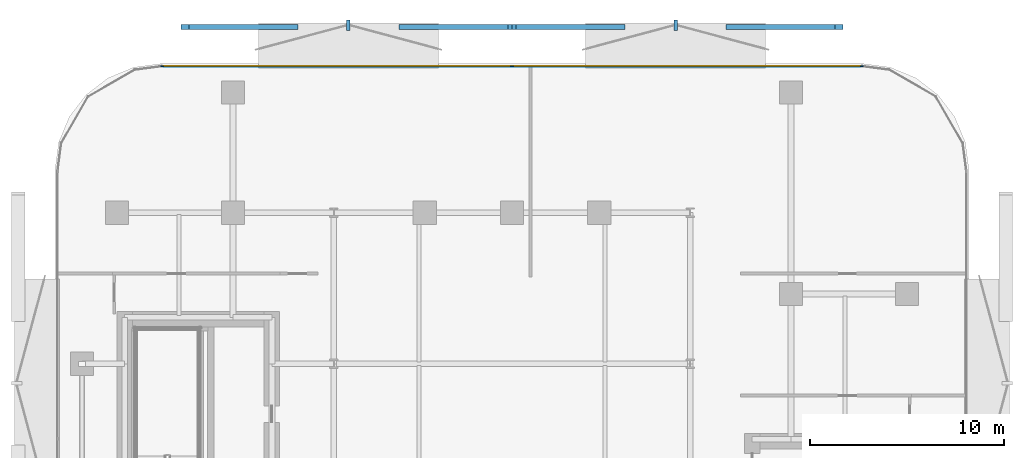
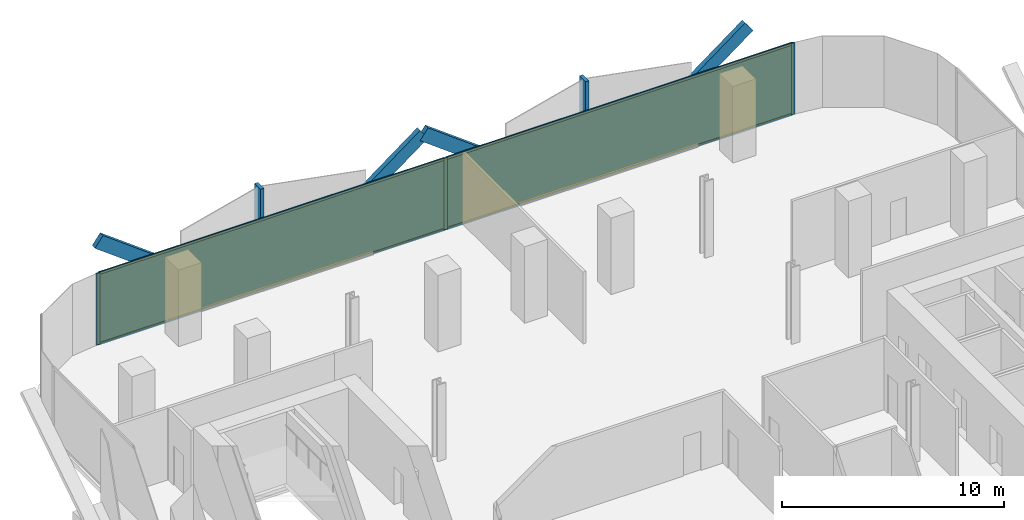
# One storey, part 10 of 15: 13 members, 2 plates, 1 curtain wall.
"""IFC4 building model written with IfcOpenShell, lengths in metres."""

import ifcopenshell
import ifcopenshell.guid

model = None  # the IFC model being written
_history = None  # IfcOwnerHistory: only IFC2X3 demands one
_inside = {}  # id of a spatial element -> (the spatial element, [elements in it])
_under = {}  # id of a project, library or spatial element -> (it, [spatial elements below it])
_declared = {}  # id of a project -> (the project, [libraries it declares])
_typed = {}  # id of a type object -> (the type object, [elements of that type])
_made_of = {}  # id of a material, layer set ... -> (it, [elements and type objects made of it])


def new_model(schema):
    """Start an empty IFC model of exactly this schema.

    Asked for "IFC4X3", IfcOpenShell would pick the latest addendum, in which some entities
    have other attributes; the version numbers below select the first issue.
    IFC2X3 requires an IfcOwnerHistory on every rooted entity: one is made here for all.
    """
    global model, _history
    if schema == "IFC4X3":
        model = ifcopenshell.file(schema_version=(4, 3, 0, 0))
    else:
        model = ifcopenshell.file(schema=schema)
    _inside.clear()
    _under.clear()
    _declared.clear()
    _typed.clear()
    _made_of.clear()
    _history = None
    if model.schema == "IFC2X3":
        org = make("IfcOrganization", Name="unknown")
        user = make(
            "IfcPersonAndOrganization",
            ThePerson=make("IfcPerson", FamilyName="unknown"),
            TheOrganization=org,
        )
        app = make(
            "IfcApplication",
            ApplicationDeveloper=org,
            Version="unknown",
            ApplicationFullName="unknown",
            ApplicationIdentifier="unknown",
        )
        _history = make(
            "IfcOwnerHistory",
            OwningUser=user,
            OwningApplication=app,
            ChangeAction="ADDED",
            CreationDate=0,
        )
    return model


def make(cls, **values):
    """One entity of the class cls with the attributes given. An attribute that is None is left unset."""
    return model.create_entity(
        cls, **{name: value for name, value in values.items() if value is not None}
    )


def rooted(cls, **values):
    """An entity with a GlobalId (a new one), such as an element, a storey or a relation."""
    return make(cls, GlobalId=ifcopenshell.guid.new(), OwnerHistory=_history, **values)


def si_unit(unit_type, name, prefix=None):
    """IfcSIUnit, for example si_unit("LENGTHUNIT", "METRE", prefix="MILLI")."""
    return make("IfcSIUnit", UnitType=unit_type, Prefix=prefix, Name=name)


def assignment(units):
    """IfcUnitAssignment: the units of a project."""
    return None if units is None else make("IfcUnitAssignment", Units=units)


def point(xyz):
    """IfcCartesianPoint."""
    return None if xyz is None else make("IfcCartesianPoint", Coordinates=xyz)


def direction(xyz):
    """IfcDirection."""
    return None if xyz is None else make("IfcDirection", DirectionRatios=xyz)


def frame(location, z_axis=None, x_axis=None):
    """IfcAxis2Placement3D, a coordinate frame: its origin and axes. An axis left out is left unset."""
    return make(
        "IfcAxis2Placement3D",
        Location=point(location),
        Axis=direction(z_axis),
        RefDirection=direction(x_axis),
    )


def frame_2d(location, x_axis=None):
    """IfcAxis2Placement2D, a coordinate frame in the plane: its origin and x axis."""
    return make(
        "IfcAxis2Placement2D", Location=point(location), RefDirection=direction(x_axis)
    )


def origin():
    """The frame at (0, 0, 0) with its axes left unset."""
    return frame((0.0, 0.0, 0.0))


def origin_2d():
    """The frame at (0, 0) in the plane with its x axis left unset."""
    return frame_2d((0.0, 0.0))


def place(relative_to, where):
    """IfcLocalPlacement: puts the frame where relative to a parent placement (None: the world)."""
    return make(
        "IfcLocalPlacement", PlacementRelTo=relative_to, RelativePlacement=where
    )


def context(
    kind, dimensions, precision=None, world=None, true_north=None, identifier=None
):
    """IfcGeometricRepresentationContext, for example the 3D "Model" context."""
    return make(
        "IfcGeometricRepresentationContext",
        ContextIdentifier=identifier,
        ContextType=kind,
        CoordinateSpaceDimension=dimensions,
        Precision=precision,
        WorldCoordinateSystem=world,
        TrueNorth=true_north,
    )


def subcontext(parent, identifier, kind, view, scale=None):
    """IfcGeometricRepresentationSubContext, for example "Body" below "Model"."""
    return make(
        "IfcGeometricRepresentationSubContext",
        ContextIdentifier=identifier,
        ContextType=kind,
        ParentContext=parent,
        TargetScale=scale,
        TargetView=view,
    )


def project(units=None, contexts=None):
    """IfcProject with its units and contexts."""
    return rooted(
        "IfcProject",
        Name="project",
        RepresentationContexts=contexts,
        UnitsInContext=assignment(units),
    )


def spatial(cls, under=None, at=None, **own):
    """A site, building, storey or space (cls), placed at a placement, below another one or the project."""
    s = rooted(cls, ObjectPlacement=at, **own)
    if under is not None:
        _under.setdefault(under.id(), (under, []))[1].append(s)
    return s


def profile(cls, at=None, kind="AREA", **sizes):
    """A parametric profile (cls). Its sizes go by their IFC names, for example OverallWidth=200.0."""
    return make(cls, ProfileType=kind, Position=at, **sizes)


def rectangle(**sizes):
    """IfcRectangleProfileDef."""
    return profile("IfcRectangleProfileDef", **sizes)


def extrude(swept, where, along, depth):
    """IfcExtrudedAreaSolid: the profile swept, set in the frame where, extruded along a direction by depth."""
    return make(
        "IfcExtrudedAreaSolid",
        SweptArea=swept,
        Position=where,
        ExtrudedDirection=direction(along),
        Depth=depth,
    )


def shape(context_of_items, identifier, shape_type, items):
    """IfcShapeRepresentation: the items that make up one representation, for example the "Body"."""
    return make(
        "IfcShapeRepresentation",
        ContextOfItems=context_of_items,
        RepresentationIdentifier=identifier,
        RepresentationType=shape_type,
        Items=items,
    )


def material(Name=None, Category=None):
    """IfcMaterial."""
    return make("IfcMaterial", Name=Name, Category=Category)


def layer(
    of_material, thickness, ventilated=None, Name=None, Category=None, Priority=None
):
    """IfcMaterialLayer: one layer of a wall or slab, of a material (None: an air gap)."""
    return make(
        "IfcMaterialLayer",
        Material=of_material,
        LayerThickness=thickness,
        IsVentilated=ventilated,
        Name=Name,
        Category=Category,
        Priority=Priority,
    )


def layer_set(layers, Name=None):
    """IfcMaterialLayerSet."""
    return make("IfcMaterialLayerSet", MaterialLayers=layers, LayerSetName=Name)


def material_profile(
    of_material, cross_section, Name=None, Category=None, Priority=None
):
    """IfcMaterialProfile: a cross section and its material."""
    return make(
        "IfcMaterialProfile",
        Name=Name,
        Material=of_material,
        Profile=cross_section,
        Priority=Priority,
        Category=Category,
    )


def profile_set(profiles, Name=None, composite=None):
    """IfcMaterialProfileSet."""
    return make(
        "IfcMaterialProfileSet",
        Name=Name,
        MaterialProfiles=profiles,
        CompositeProfile=composite,
    )


def made_of(thing, what):
    """Note that an element or type object is made of a material, layer set ...; save() writes the relation."""
    if what is not None:
        _made_of.setdefault(what.id(), (what, []))[1].append(thing)
    return thing


def type_object(cls, material=None, **own):
    """A type object (cls), such as IfcWallType, which elements share."""
    return made_of(rooted(cls, **own), material)


def element(
    cls,
    number,
    at=None,
    inside=None,
    cuts=None,
    type_object=None,
    material=None,
    context=None,
    identifier="Body",
    shape_type=None,
    held_by="IfcProductDefinitionShape",
    body=None,
    shapes=None,
    **own,
):
    """One element of the class cls, such as IfcWall. Its Tag is "e" and its number.

    at: its placement. inside: the storey or other place that contains it. cuts: it is an
    opening in that element (IfcRelVoidsElement). A single representation is given by context,
    identifier, shape_type and body (its items); several are given by shapes. held_by: the class
    of the entity that holds the representations. save() writes the other relations.
    """
    e = rooted(cls, Tag="e%d" % number, ObjectPlacement=at, **own)
    if body is not None:
        shapes = [shape(context, identifier, shape_type, body)]
    if shapes is not None:
        e.Representation = make(held_by, Representations=shapes)
    if inside is not None:
        _inside.setdefault(inside.id(), (inside, []))[1].append(e)
    if cuts is not None:
        rooted(
            "IfcRelVoidsElement", RelatingBuildingElement=cuts, RelatedOpeningElement=e
        )
    if type_object is not None:
        _typed.setdefault(type_object.id(), (type_object, []))[1].append(e)
    return made_of(e, material)


def aggregate(whole, parts):
    """IfcRelAggregates: a whole, such as a stair, and the parts it consists of."""
    return rooted("IfcRelAggregates", RelatingObject=whole, RelatedObjects=parts)


def save(model, path):
    """Write the relations noted so far, then the file.

    IfcRelAggregates (storeys below a building ...), IfcRelContainedInSpatialStructure (elements
    in a storey), IfcRelDefinesByType, IfcRelAssociatesMaterial and IfcRelDeclares: one each for
    every whole, place, type object, material and project.
    """
    for whole, parts in _under.values():
        aggregate(whole, parts)
    for where, things in _inside.values():
        rooted(
            "IfcRelContainedInSpatialStructure",
            RelatedElements=things,
            RelatingStructure=where,
        )
    for kind, things in _typed.values():
        rooted("IfcRelDefinesByType", RelatedObjects=things, RelatingType=kind)
    for what, things in _made_of.values():
        rooted("IfcRelAssociatesMaterial", RelatedObjects=things, RelatingMaterial=what)
    for by, libraries in _declared.values():
        rooted("IfcRelDeclares", RelatingContext=by, RelatedDefinitions=libraries)
    model.write(path)


model = new_model("IFC4")

# Units and contexts
model_context = context("Model", 3, precision=1e-05, world=origin(), true_north=direction((0.0, 1.0)))
body_context = subcontext(model_context, "Body", "Model", "MODEL_VIEW")
ifc_project = project(units=[si_unit("LENGTHUNIT", "METRE"), si_unit("AREAUNIT", "SQUARE_METRE"), si_unit("VOLUMEUNIT", "CUBIC_METRE"), si_unit("PLANEANGLEUNIT", "RADIAN"), si_unit("MASSUNIT", "GRAM", prefix="KILO")], contexts=[model_context])

# Member
ifc_material_1 = material(Name="Anodised Bronze Aluminium 6063-T6", Category="aluminium")
ifc_material_profile_1 = material_profile(ifc_material_1, rectangle(XDim=0.260009765625, YDim=0.699951171875, at=origin_2d()))
ifc_profile_set_1 = profile_set([ifc_material_profile_1], Name="Anodised Bronze Aluminium 6063-T6")
member_type_1 = type_object("IfcMemberType", Name="Bronze Diamond Solar-Screen Lattice Rib BDL-700", PredefinedType="MULLION", material=ifc_profile_set_1)
site_placement = place(None, origin())
building_placement = place(site_placement, origin())
storey_placement = place(building_placement, frame((0.0, 0.0, 114.199951171875)))
member_1_placement = place(storey_placement, frame((-5.63037109375, 28.199951171875, -0.1298828125), z_axis=(0.801557173533, 0.0, 0.597918136167), x_axis=(0.0, 1.0, 0.0)))
member_1 = element("IfcMember", 1, at=member_1_placement, type_object=member_type_1, Name="L26 Bronze Diamond Solar Screen Lattice Rib 157A", PredefinedType="MULLION", context=body_context, shape_type="SweptSolid", body=[
    extrude(rectangle(XDim=0.260009765625, YDim=0.699951171875, at=origin_2d()), origin(), (0.0, 0.0, 1.0), 7.024169921875),
])

member_2_placement = place(storey_placement, frame((-11.260498046875, 28.199951171875, -0.1298828125), z_axis=(-0.801557173533, 0.0, 0.597918136167), x_axis=(0.0, -1.0, 0.0)))
member_2 = element("IfcMember", 2, at=member_2_placement, type_object=member_type_1, Name="L26 Bronze Diamond Solar Screen Lattice Rib 157B", PredefinedType="MULLION", context=body_context, shape_type="SweptSolid", body=[
    extrude(rectangle(XDim=0.260009765625, YDim=0.699951171875, at=origin_2d()), origin(), (0.0, 0.0, 1.0), 7.024169921875),
])

member_3_placement = place(storey_placement, frame((11.260498046875, 28.199951171875, -0.1298828125), z_axis=(0.801557173533, 0.0, 0.597918136167), x_axis=(0.0, 1.0, 0.0)))
member_3 = element("IfcMember", 3, at=member_3_placement, type_object=member_type_1, Name="L26 Bronze Diamond Solar Screen Lattice Rib 158A", PredefinedType="MULLION", context=body_context, shape_type="SweptSolid", body=[
    extrude(rectangle(XDim=0.260009765625, YDim=0.699951171875, at=origin_2d()), origin(), (0.0, 0.0, 1.0), 7.024169921875),
])

member_4_placement = place(storey_placement, frame((5.63037109375, 28.199951171875, -0.1298828125), z_axis=(-0.801557173533, 0.0, 0.597918136167), x_axis=(0.0, -1.0, 0.0)))
member_4 = element("IfcMember", 4, at=member_4_placement, type_object=member_type_1, Name="L26 Bronze Diamond Solar Screen Lattice Rib 158B", PredefinedType="MULLION", context=body_context, shape_type="SweptSolid", body=[
    extrude(rectangle(XDim=0.260009765625, YDim=0.699951171875, at=origin_2d()), origin(), (0.0, 0.0, 1.0), 7.024169921875),
])

ifc_material_2 = material(Name="Anodised Bronze Aluminium 6063-T6", Category="aluminium")
ifc_material_profile_2 = material_profile(ifc_material_2, rectangle(XDim=0.179931640625, YDim=0.5400390625, at=origin_2d()))
ifc_profile_set_2 = profile_set([ifc_material_profile_2], Name="Anodised Bronze Aluminium 6063-T6")
member_type_2 = type_object("IfcMemberType", Name="Bronze Solar-Screen Vertical Fold Fin BSF-540", PredefinedType="MULLION", material=ifc_profile_set_2)
member_5_placement = place(storey_placement, frame((-8.4453125, 28.280029296875, -0.1298828125), z_axis=(0.0, 0.0, 1.0), x_axis=(1.0, 0.0, 0.0)))
member_5 = element("IfcMember", 5, at=member_5_placement, type_object=member_type_2, Name="L26 Bronze Solar Screen Vertical Fin 157", PredefinedType="MULLION", context=body_context, shape_type="SweptSolid", body=[
    extrude(rectangle(XDim=0.179931640625, YDim=0.5400390625, at=origin_2d()), origin(), (0.0, 0.0, 1.0), 4.199951171875),
])

member_6_placement = place(storey_placement, frame((8.4453125, 28.280029296875, -0.1298828125), z_axis=(0.0, 0.0, 1.0), x_axis=(1.0, 0.0, 0.0)))
member_6 = element("IfcMember", 6, at=member_6_placement, type_object=member_type_2, Name="L26 Bronze Solar Screen Vertical Fin 158", PredefinedType="MULLION", context=body_context, shape_type="SweptSolid", body=[
    extrude(rectangle(XDim=0.179931640625, YDim=0.5400390625, at=origin_2d()), origin(), (0.0, 0.0, 1.0), 4.199951171875),
])

ifc_material_3 = material(Name="Anodised Bronze Aluminium 6063-T6", Category="aluminium")
ifc_material_profile_3 = material_profile(ifc_material_3, rectangle(XDim=0.06494140625, YDim=0.175048828125, at=origin_2d()))
ifc_profile_set_3 = profile_set([ifc_material_profile_3], Name="Anodised Bronze Aluminium 6063-T6")
member_type_3 = type_object("IfcMemberType", Name="CW-Z2 Mullion 65x175", PredefinedType="MULLION", material=ifc_profile_set_3)
member_7_placement = place(storey_placement, frame((-18.058349609375, 26.159912109375, 0.0), z_axis=(0.0, 0.0, 1.0), x_axis=(0.0, 1.0, 0.0)))
member_7 = element("IfcMember", 7, at=member_7_placement, type_object=member_type_3, Name="CW-Z2 mullion 1", PredefinedType="MULLION", context=body_context, shape_type="SweptSolid", body=[
    extrude(rectangle(XDim=0.06494140625, YDim=0.175048828125, at=origin_2d()), origin(), (0.0, 0.0, 1.0), 3.93994140625),
])

member_8_placement = place(storey_placement, frame((0.0, 26.159912109375, 0.0), z_axis=(0.0, 0.0, 1.0), x_axis=(0.0, 1.0, 0.0)))
member_8 = element("IfcMember", 8, at=member_8_placement, type_object=member_type_3, Name="CW-Z2 mullion 2", PredefinedType="MULLION", context=body_context, shape_type="SweptSolid", body=[
    extrude(rectangle(XDim=0.06494140625, YDim=0.175048828125, at=origin_2d()), origin(), (0.0, 0.0, 1.0), 3.93994140625),
])

member_9_placement = place(storey_placement, frame((18.058349609375, 26.159912109375, 0.0), z_axis=(0.0, 0.0, 1.0), x_axis=(0.0, 1.0, 0.0)))
member_9 = element("IfcMember", 9, at=member_9_placement, type_object=member_type_3, Name="CW-Z2 mullion 3", PredefinedType="MULLION", context=body_context, shape_type="SweptSolid", body=[
    extrude(rectangle(XDim=0.06494140625, YDim=0.175048828125, at=origin_2d()), origin(), (0.0, 0.0, 1.0), 3.93994140625),
])

ifc_material_4 = material(Name="Anodised Bronze Aluminium 6063-T6", Category="aluminium")
ifc_material_profile_4 = material_profile(ifc_material_4, rectangle(XDim=0.06494140625, YDim=0.135009765625, at=origin_2d()))
ifc_profile_set_4 = profile_set([ifc_material_profile_4], Name="Anodised Bronze Aluminium 6063-T6")
member_type_4 = type_object("IfcMemberType", Name="CW-Z2 Transom 65x135", PredefinedType="USERDEFINED", material=ifc_profile_set_4)
member_10_placement = place(storey_placement, frame((-18.02587890625, 26.159912109375, 0.032470703125), z_axis=(1.0, 0.0, 0.0), x_axis=(0.0, 1.0, 0.0)))
member_10 = element("IfcMember", 10, at=member_10_placement, type_object=member_type_4, Name="CW-Z2 transom 1.1", ObjectType="TRANSOM", PredefinedType="USERDEFINED", context=body_context, shape_type="SweptSolid", body=[
    extrude(rectangle(XDim=0.06494140625, YDim=0.135009765625, at=origin_2d()), origin(), (0.0, 0.0, 1.0), 17.993408203125),
])

member_11_placement = place(storey_placement, frame((-18.02587890625, 26.159912109375, 3.907470703125), z_axis=(1.0, 0.0, 0.0), x_axis=(0.0, 1.0, 0.0)))
member_11 = element("IfcMember", 11, at=member_11_placement, type_object=member_type_4, Name="CW-Z2 transom 1.2", ObjectType="TRANSOM", PredefinedType="USERDEFINED", context=body_context, shape_type="SweptSolid", body=[
    extrude(rectangle(XDim=0.06494140625, YDim=0.135009765625, at=origin_2d()), origin(), (0.0, 0.0, 1.0), 17.993408203125),
])

member_12_placement = place(storey_placement, frame((0.032470703125, 26.159912109375, 0.032470703125), z_axis=(1.0, 0.0, 0.0), x_axis=(0.0, 1.0, 0.0)))
member_12 = element("IfcMember", 12, at=member_12_placement, type_object=member_type_4, Name="CW-Z2 transom 2.1", ObjectType="TRANSOM", PredefinedType="USERDEFINED", context=body_context, shape_type="SweptSolid", body=[
    extrude(rectangle(XDim=0.06494140625, YDim=0.135009765625, at=origin_2d()), origin(), (0.0, 0.0, 1.0), 17.993408203125),
])

member_13_placement = place(storey_placement, frame((0.032470703125, 26.159912109375, 3.907470703125), z_axis=(1.0, 0.0, 0.0), x_axis=(0.0, 1.0, 0.0)))
member_13 = element("IfcMember", 13, at=member_13_placement, type_object=member_type_4, Name="CW-Z2 transom 2.2", ObjectType="TRANSOM", PredefinedType="USERDEFINED", context=body_context, shape_type="SweptSolid", body=[
    extrude(rectangle(XDim=0.06494140625, YDim=0.135009765625, at=origin_2d()), origin(), (0.0, 0.0, 1.0), 17.993408203125),
])

# Plate
ifc_material_5 = material(Name="Low-E Solar Control Laminated Glass", Category="glass")
ifc_layer_1 = layer(ifc_material_5, 0.028076171875, Name="Low-E Solar Control Laminated Glass")
ifc_layer_set_1 = layer_set([ifc_layer_1], Name="Low-E Solar Control Laminated Glass")
plate_type = type_object("IfcPlateType", Name="CW-Z2 Low-E Double Glazed Panel 28mm", PredefinedType="CURTAIN_PANEL", material=ifc_layer_set_1)
plate_1_placement = place(storey_placement, frame((-9.029052734375, 26.159912109375, 0.06494140625), z_axis=(0.0, 0.0, 1.0), x_axis=(1.0, 0.0, 0.0)))
plate_1 = element("IfcPlate", 14, at=plate_1_placement, type_object=plate_type, Name="CW-Z2 panel 1.1", PredefinedType="CURTAIN_PANEL", context=body_context, shape_type="SweptSolid", body=[
    extrude(rectangle(XDim=17.993408203125, YDim=0.028076171875, at=origin_2d()), origin(), (0.0, 0.0, 1.0), 3.81005859375),
])

plate_2_placement = place(storey_placement, frame((9.029052734375, 26.159912109375, 0.06494140625), z_axis=(0.0, 0.0, 1.0), x_axis=(1.0, 0.0, 0.0)))
plate_2 = element("IfcPlate", 15, at=plate_2_placement, type_object=plate_type, Name="CW-Z2 panel 2.1", PredefinedType="CURTAIN_PANEL", context=body_context, shape_type="SweptSolid", body=[
    extrude(rectangle(XDim=17.993408203125, YDim=0.028076171875, at=origin_2d()), origin(), (0.0, 0.0, 1.0), 3.81005859375),
])

# Site, building, storey
site = spatial("IfcSite", under=ifc_project, at=site_placement, CompositionType="ELEMENT")
building = spatial("IfcBuilding", under=site, at=building_placement, Name="Khairoan Windgate Tower", CompositionType="ELEMENT")
storey = spatial("IfcBuildingStorey", under=building, at=storey_placement, Name="L26", CompositionType="ELEMENT", Elevation=114.199951171875)

# Curtain wall
ifc_material_6 = material(Name="Anodised Bronze Aluminium 6063-T6", Category="aluminium")
ifc_layer_2 = layer(ifc_material_6, 0.175048828125, Name="Anodised Bronze Aluminium 6063-T6")
ifc_layer_set_2 = layer_set([ifc_layer_2], Name="Anodised Bronze Aluminium 6063-T6")
curtain_wall_type = type_object("IfcCurtainWallType", Name="Mid-Rise Office Unitised Curtain Wall CW-Z2", PredefinedType="NOTDEFINED", material=ifc_layer_set_2)
curtain_wall_placement = place(storey_placement, frame((-18.0908203125, 26.159912109375, 0.0), z_axis=(0.0, 0.0, 1.0), x_axis=(1.0, 0.0, 0.0)))
curtain_wall = element("IfcCurtainWall", 16, at=curtain_wall_placement, inside=storey, type_object=curtain_wall_type, Name="L26 Unitised Curtain Wall 11", PredefinedType="NOTDEFINED", context=body_context, shape_type="SweptSolid", body=[
    extrude(rectangle(XDim=36.181640625, YDim=0.010009765625, at=frame_2d((18.0908203125, 0.0))), origin(), (0.0, 0.0, 1.0), 3.93994140625),
])

aggregate(curtain_wall, [member_7, member_8, member_9, member_10, member_11, plate_1, member_12, member_13, plate_2, member_1, member_2, member_5, member_3, member_4, member_6])

save(model, "model.ifc")
